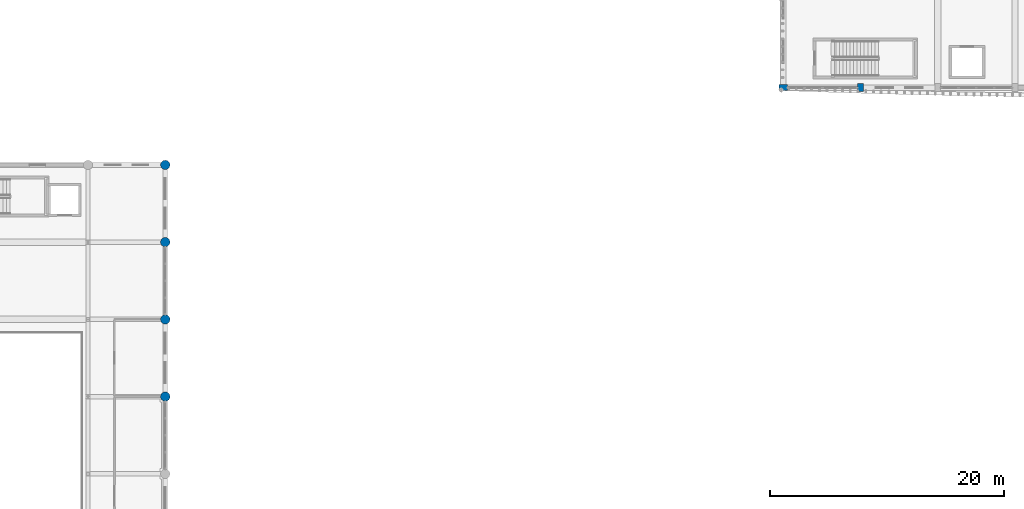
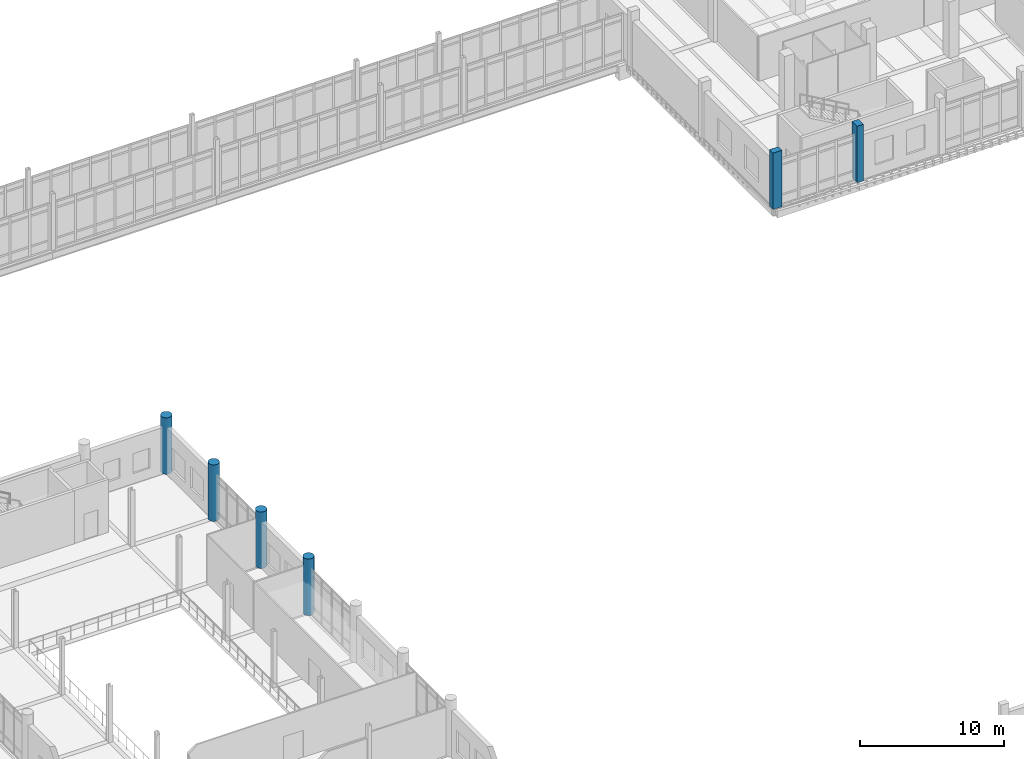
# One storey, part 9 of 125: 6 columns.
"""IFC4 building model written with IfcOpenShell, lengths in metres."""

from ifc_helpers import new_model, si_unit, direction, frame, origin, origin_2d, place, context, subcontext, project, spatial, rectangle, circle, extrude, material, material_profile, profile_set, type_object, element, save


model = new_model("IFC4")

# Units and contexts
model_context = context("Model", 3, precision=1e-05, world=origin(), true_north=direction((0.0, 1.0)))
body_context = subcontext(model_context, "Body", "Model", "MODEL_VIEW")
ifc_project = project(units=[si_unit("LENGTHUNIT", "METRE"), si_unit("AREAUNIT", "SQUARE_METRE"), si_unit("VOLUMEUNIT", "CUBIC_METRE"), si_unit("PLANEANGLEUNIT", "RADIAN"), si_unit("MASSUNIT", "GRAM", prefix="KILO")], contexts=[model_context])

# Site, building, storey
site_placement = place(None, origin())
site = spatial("IfcSite", under=ifc_project, at=site_placement, CompositionType="ELEMENT")
building_placement = place(site_placement, origin())
building = spatial("IfcBuilding", under=site, at=building_placement, Name="Dornvale Research Institute", CompositionType="ELEMENT")
storey_placement = place(building_placement, frame((0.0, 0.0, 5.39990234375)))
storey = spatial("IfcBuildingStorey", under=building, at=storey_placement, Name="L01", CompositionType="ELEMENT", Elevation=5.39990234375)

# Columns
ifc_material_1 = material(Name="Concrete f'c 45 MPa (C35/45)", Category="concrete")
ifc_material_profile_1 = material_profile(ifc_material_1, circle(Radius=0.39990234375, at=origin_2d()), Name="RC DIA 800")
ifc_profile_set_1 = profile_set([ifc_material_profile_1], Name="Concrete f'c 45 MPa (C35/45)")
column_type_1 = type_object("IfcColumnType", Name="Column_RCDia800_Ext", PredefinedType="COLUMN", material=ifc_profile_set_1)
for number, where, z_axis, x_axis, name in (
    (1, (66.0, 66.0, 0.0), (0.0, 0.0, 1.0), (1.0, 0.0, 0.0), "L01 column #1078"),
    (2, (66.0, 72.60009765625, 0.0), (0.0, 0.0, 1.0), (1.0, 0.0, 0.0), "L01 column #1079"),
    (3, (66.0, 79.199951171875, 0.0), (0.0, 0.0, 1.0), (1.0, 0.0, 0.0), "L01 column #1080"),
    (4, (66.0, 85.800048828125, 0.0), (0.0, 0.0, 1.0), (1.0, 0.0, 0.0), "L01 column #1081"),
):
    element("IfcColumn", number, at=place(storey_placement, frame(where, z_axis=z_axis, x_axis=x_axis)), inside=storey, type_object=column_type_1, Name=name, PredefinedType="COLUMN", context=body_context, shape_type="SweptSolid", body=[
        extrude(circle(Radius=0.39990234375, at=origin_2d()), origin(), (0.0, 0.0, 1.0), 4.800048828125),
    ])
ifc_material_2 = material(Name="Concrete f'c 50 MPa (C40/50)", Category="concrete")
ifc_material_profile_2 = material_profile(ifc_material_2, rectangle(XDim=0.5, YDim=0.699951171875, at=origin_2d()), Name="RC 500x700")
ifc_profile_set_2 = profile_set([ifc_material_profile_2], Name="Concrete f'c 50 MPa (C40/50)")
column_type_2 = type_object("IfcColumnType", Name="Pilaster_RC500x700_Ext", PredefinedType="PILASTER", material=ifc_profile_set_2)
for number, where, z_axis, x_axis, name in (
    (5, (118.800048828125, 92.39990234375, 0.0), (0.0, 0.0, 1.0), (0.0, 1.0, 0.0), "L01 column #494"),
    (6, (125.39990234375, 92.39990234375, 0.0), (0.0, 0.0, 1.0), (1.0, 0.0, 0.0), "L01 column #498"),
):
    element("IfcColumn", number, at=place(storey_placement, frame(where, z_axis=z_axis, x_axis=x_axis)), inside=storey, type_object=column_type_2, Name=name, PredefinedType="PILASTER", context=body_context, shape_type="SweptSolid", body=[
        extrude(rectangle(XDim=0.5, YDim=0.699951171875, at=origin_2d()), origin(), (0.0, 0.0, 1.0), 4.800048828125),
    ])

save(model, "model.ifc")
